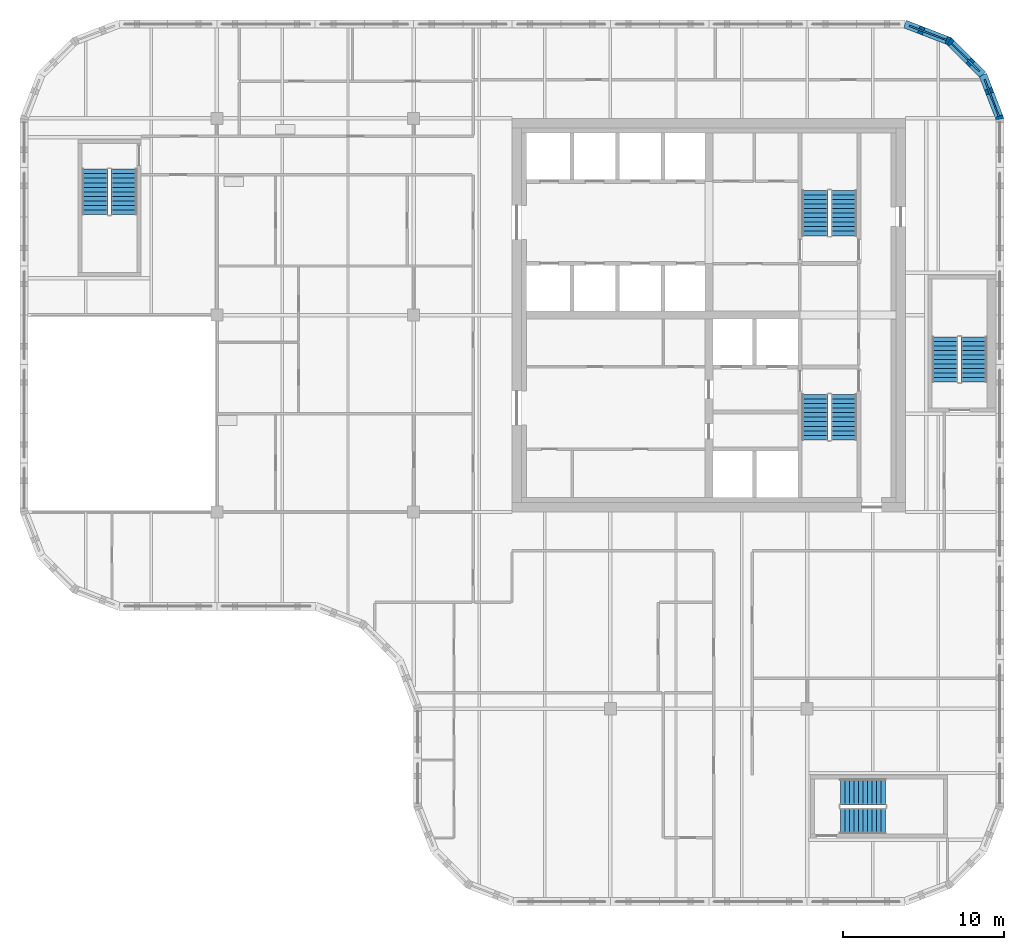
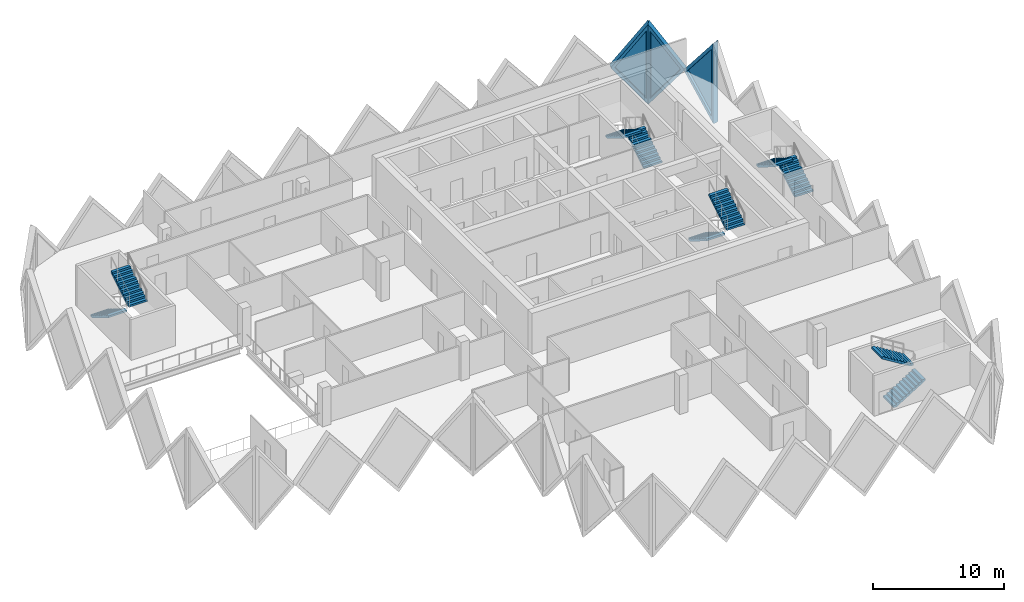
# One storey, part 10 of 12: 10 stair flights, 3 plates, 3 walls, 3 openings, 5 elements without a shape of their own.
"""IFC4 building model written with IfcOpenShell, lengths in metres."""

from ifc_helpers import new_model, si_unit, direction, frame, origin, place, context, subcontext, project, spatial, polyline, outline, extrude, faceted_brep, source, transform, mapped, material, layer, layer_set, type_object, element, fill, aggregate, save


model = new_model("IFC4")

# Units and contexts
model_context = context("Model", 3, precision=1e-05, world=origin(), true_north=direction((0.0, 1.0)))
body_context = subcontext(model_context, "Body", "Model", "MODEL_VIEW")
ifc_project = project(units=[si_unit("LENGTHUNIT", "METRE"), si_unit("AREAUNIT", "SQUARE_METRE"), si_unit("VOLUMEUNIT", "CUBIC_METRE"), si_unit("PLANEANGLEUNIT", "RADIAN"), si_unit("MASSUNIT", "GRAM", prefix="KILO")], contexts=[model_context])

# Site, building, storey
site_placement = place(None, origin())
site = spatial("IfcSite", under=ifc_project, at=site_placement, CompositionType="ELEMENT")
building_placement = place(site_placement, origin())
building = spatial("IfcBuilding", under=site, at=building_placement, Name="Tessera Gate Towers", CompositionType="ELEMENT")
storey_placement = place(building_placement, frame((0.0, 0.0, 159.199951171875)))
storey = spatial("IfcBuildingStorey", under=building, at=storey_placement, Name="L39", CompositionType="ELEMENT", Elevation=159.199951171875)

# Wall, opening, plate
ifc_material_1 = material(Name="Precast concrete C60/75 white", Category="concrete")
ifc_layer_1 = layer(ifc_material_1, 0.5)
ifc_layer_set_1 = layer_set([ifc_layer_1], Name="TS3 corner tessera")
wall_type = type_object("IfcWallType", Name="TS3 corner tessera", PredefinedType="SOLIDWALL", material=ifc_layer_set_1)
shared_shape_1 = source(origin(), body_context, "Body", "Brep", [
    faceted_brep([(0.046630859375, -0.25, 0.0), (2.9970703125, -0.25, 3.800048828125), (0.046630859375, -0.25, 7.60009765625), (0.0, -0.25, 7.541259765625), (0.0, -0.25, 0.058837890625), (0.09326171875, 0.25, 7.5400390625), (2.9443359375, 0.25, 3.8681640625), (2.9443359375, 0.25, 3.73193359375), (0.09326171875, 0.25, 0.06005859375), (2.9970703125, 0.00048828125, 3.800048828125), (0.046630859375, 0.0, 0.0), (0.046630859375, 0.0, 7.60009765625)], [[[0, 1, 2, 3, 4]], [[5, 6, 7, 8]], [[8, 7, 9, 1, 0, 10]], [[6, 5, 11, 2, 1, 9]], [[3, 2, 11]], [[10, 0, 4]], [[8, 10, 4, 3, 11, 5]], [[9, 7, 6]]]),
])
wall_1_placement = place(storey_placement, frame((60.766845703125, 48.7099609375, -3.800048828125), z_axis=(0.0, 0.0, 1.0), x_axis=(-0.359901446078, 0.932990326376, 0.0)))
wall_1 = element("IfcWall", 1, at=wall_1_placement, inside=storey, type_object=wall_type, Name="Precast corner tessera T1 TS3-0894", PredefinedType="SOLIDWALL", context=body_context, shape_type="MappedRepresentation", body=[
    mapped(shared_shape_1, transform((0.0, 0.0, 0.0), scale=1.0)),
])
shared_shape_2 = source(origin(), body_context, "Body", "SweptSolid", [
    extrude(outline(polyline([(0.24658203125, 0.665283203125), (2.6806640625, 3.800048828125), (0.24658203125, 6.934814453125), (0.24658203125, 0.665283203125)])), frame((0.0, 0.260009765625, 0.0), z_axis=(0.0, -1.0, 0.0), x_axis=(1.0, 0.0, 0.0)), (0.0, 0.0, 1.0), 0.52001953125),
])
opening_1_placement = place(wall_1_placement, origin())
opening_1 = element("IfcOpeningElement", 2, at=opening_1_placement, cuts=wall_1, Name="Opening T1-PL2-1331", PredefinedType="OPENING", context=body_context, shape_type="MappedRepresentation", body=[
    mapped(shared_shape_2, transform((0.0, 0.0, 0.0), scale=1.0)),
])
ifc_material_2 = material(Name="Low-e laminated glass", Category="glass")
ifc_layer_2 = layer(ifc_material_2, 0.06005859375)
ifc_layer_set_2 = layer_set([ifc_layer_2], Name="PL2 rhombic pane")
plate_type = type_object("IfcPlateType", Name="PL2 rhombic pane", PredefinedType="SHEET", material=ifc_layer_set_2)
shared_shape_3 = source(origin(), body_context, "Body", "SweptSolid", [
    extrude(outline(polyline([(0.24658203125, 0.665283203125), (2.6806640625, 3.800048828125), (0.24658203125, 6.934814453125), (0.24658203125, 0.665283203125)])), frame((0.0, 0.030029296875, 0.0), z_axis=(0.0, -1.0, 0.0), x_axis=(1.0, 0.0, 0.0)), (0.0, 0.0, 1.0), 0.06005859375),
])
plate_1_placement = place(opening_1_placement, origin())
plate_1 = element("IfcPlate", 3, at=plate_1_placement, inside=storey, type_object=plate_type, Name="Glass pane T1 PL2-1331", PredefinedType="SHEET", context=body_context, shape_type="MappedRepresentation", body=[
    mapped(shared_shape_3, transform((0.0, 0.0, 0.0), scale=1.0)),
])
fill(opening_1, plate_1)

shared_shape_4 = source(origin(), body_context, "Body", "Brep", [
    faceted_brep([(2.944091796875, -0.25, 0.0), (2.9970703125, -0.25, 0.068115234375), (2.9970703125, -0.25, 7.531982421875), (2.944091796875, -0.25, 7.60009765625), (0.0, -0.25, 3.800048828125), (0.052978515625, 0.25, 3.868408203125), (2.89111328125, 0.25, 7.531982421875), (2.89111328125, 0.25, 0.068115234375), (0.052978515625, 0.25, 3.731689453125), (2.944091796875, 0.000244140625, 0.0), (2.944091796875, 0.000244140625, 7.60009765625), (0.0, 0.0, 3.800048828125)], [[[0, 1, 2, 3, 4]], [[5, 6, 7, 8]], [[1, 0, 9]], [[10, 3, 2]], [[6, 5, 11, 4, 3, 10]], [[8, 7, 9, 0, 4, 11]], [[8, 11, 5]], [[1, 9, 7, 6, 10, 2]]]),
])
wall_2_placement = place(storey_placement, frame((59.68798828125, 51.50634765625, -3.800048828125), z_axis=(0.0, 0.0, 1.0), x_axis=(-0.707106781187, 0.707106781187, 0.0)))
wall_2 = element("IfcWall", 4, at=wall_2_placement, inside=storey, type_object=wall_type, Name="Precast corner tessera T1 TS3-0895", PredefinedType="SOLIDWALL", context=body_context, shape_type="MappedRepresentation", body=[
    mapped(shared_shape_4, transform((0.0, 0.0, 0.0), scale=1.0)),
])
shared_shape_5 = source(origin(), body_context, "Body", "SweptSolid", [
    extrude(outline(polyline([(2.744140625, 6.933837890625), (0.316162109375, 3.800048828125), (2.744140625, 0.66650390625), (2.744140625, 6.933837890625)])), frame((0.0, 0.260009765625, 0.0), z_axis=(0.0, -1.0, 0.0), x_axis=(1.0, 0.0, 0.0)), (0.0, 0.0, 1.0), 0.52001953125),
])
opening_2_placement = place(wall_2_placement, origin())
opening_2 = element("IfcOpeningElement", 5, at=opening_2_placement, cuts=wall_2, Name="Opening T1-PL2-1332", PredefinedType="OPENING", context=body_context, shape_type="MappedRepresentation", body=[
    mapped(shared_shape_5, transform((0.0, 0.0, 0.0), scale=1.0)),
])
shared_shape_6 = source(origin(), body_context, "Body", "SweptSolid", [
    extrude(outline(polyline([(2.744140625, 6.933837890625), (0.316162109375, 3.800048828125), (2.744140625, 0.66650390625), (2.744140625, 6.933837890625)])), frame((0.0, 0.030029296875, 0.0), z_axis=(0.0, -1.0, 0.0), x_axis=(1.0, 0.0, 0.0)), (0.0, 0.0, 1.0), 0.06005859375),
])
plate_2_placement = place(opening_2_placement, origin())
plate_2 = element("IfcPlate", 6, at=plate_2_placement, inside=storey, type_object=plate_type, Name="Glass pane T1 PL2-1332", PredefinedType="SHEET", context=body_context, shape_type="MappedRepresentation", body=[
    mapped(shared_shape_6, transform((0.0, 0.0, 0.0), scale=1.0)),
])
fill(opening_2, plate_2)

shared_shape_7 = source(origin(), body_context, "Body", "Brep", [
    faceted_brep([(0.052978515625, -0.25, 0.0), (3.00341796875, -0.25, 3.800048828125), (0.052978515625, -0.25, 7.60009765625), (0.0, -0.25, 7.53173828125), (0.0, -0.25, 0.068359375), (0.10595703125, 0.25, 7.531982421875), (2.95703125, 0.25, 3.85986328125), (2.95703125, 0.25, 3.740234375), (0.10595703125, 0.25, 0.068115234375), (3.00341796875, 0.00048828125, 3.800048828125), (0.052978515625, 0.0, 0.0), (0.052978515625, 0.0, 7.60009765625)], [[[0, 1, 2, 3, 4]], [[5, 6, 7, 8]], [[8, 7, 9, 1, 0, 10]], [[6, 5, 11, 2, 1, 9]], [[3, 2, 11]], [[10, 0, 4]], [[8, 10, 4, 3, 11, 5]], [[9, 7, 6]]]),
])
wall_3_placement = place(storey_placement, frame((57.65576171875, 53.569091796875, -3.800048828125), z_axis=(0.0, 0.0, 1.0), x_axis=(-0.933007896601, 0.359855894603, 0.0)))
wall_3 = element("IfcWall", 7, at=wall_3_placement, inside=storey, type_object=wall_type, Name="Precast corner tessera T1 TS3-0896", PredefinedType="SOLIDWALL", context=body_context, shape_type="MappedRepresentation", body=[
    mapped(shared_shape_7, transform((0.0, 0.0, 0.0), scale=1.0)),
])
shared_shape_8 = source(origin(), body_context, "Body", "SweptSolid", [
    extrude(outline(polyline([(0.2529296875, 0.665283203125), (2.68701171875, 3.800048828125), (0.2529296875, 6.934814453125), (0.2529296875, 0.665283203125)])), frame((0.0, 0.260009765625, 0.0), z_axis=(0.0, -1.0, 0.0), x_axis=(1.0, 0.0, 0.0)), (0.0, 0.0, 1.0), 0.52001953125),
])
opening_3_placement = place(wall_3_placement, origin())
opening_3 = element("IfcOpeningElement", 8, at=opening_3_placement, cuts=wall_3, Name="Opening T1-PL2-1333", PredefinedType="OPENING", context=body_context, shape_type="MappedRepresentation", body=[
    mapped(shared_shape_8, transform((0.0, 0.0, 0.0), scale=1.0)),
])
shared_shape_9 = source(origin(), body_context, "Body", "SweptSolid", [
    extrude(outline(polyline([(0.2529296875, 0.665283203125), (2.68701171875, 3.800048828125), (0.2529296875, 6.934814453125), (0.2529296875, 0.665283203125)])), frame((0.0, 0.030029296875, 0.0), z_axis=(0.0, -1.0, 0.0), x_axis=(1.0, 0.0, 0.0)), (0.0, 0.0, 1.0), 0.06005859375),
])
plate_3_placement = place(opening_3_placement, origin())
plate_3 = element("IfcPlate", 9, at=plate_3_placement, inside=storey, type_object=plate_type, Name="Glass pane T1 PL2-1333", PredefinedType="SHEET", context=body_context, shape_type="MappedRepresentation", body=[
    mapped(shared_shape_9, transform((0.0, 0.0, 0.0), scale=1.0)),
])
fill(opening_3, plate_3)

# Stair, stair flights
ifc_material_3 = material(Name="Concrete C40/50", Category="concrete")
stair_type_1 = type_object("IfcStairType", Name="EXIT STAIR ST1 1600", PredefinedType="HALF_TURN_STAIR", material=ifc_material_3)
stair_1_placement = place(storey_placement, origin())
stair_1 = element("IfcStair", 10, at=stair_1_placement, inside=storey, type_object=stair_type_1, Name="L39 Protected Exit Stair ST1", PredefinedType="HALF_TURN_STAIR")
ifc_material_4 = material(Name="Concrete C40/50", Category="concrete")
stair_flight_type_1 = type_object("IfcStairFlightType", Name="EXIT STAIR FLIGHT ST1 1600", PredefinedType="STRAIGHT", material=ifc_material_4)
stair_flight_1_placement = place(storey_placement, frame((49.27490234375, 31.675048828125, 0.0), z_axis=(0.0, 0.0, 1.0), x_axis=(0.0, -1.0, 0.0)))
stair_flight_1 = element("IfcStairFlight", 11, at=stair_flight_1_placement, type_object=stair_flight_type_1, Name="ST1 flight 1", NumberOfRisers=11, NumberOfTreads=10, PredefinedType="STRAIGHT", RiserHeight=0.172727273, TreadLength=0.28, context=body_context, shape_type="SweptSolid", body=[
    extrude(outline(polyline([(0.0, 0.0), (0.0, 0.172607421875), (0.280029296875, 0.172607421875), (0.280029296875, 0.345458984375), (0.56005859375, 0.345458984375), (0.56005859375, 0.51806640625), (0.840087890625, 0.51806640625), (0.840087890625, 0.69091796875), (1.1201171875, 0.69091796875), (1.1201171875, 0.863525390625), (1.39990234375, 0.863525390625), (1.39990234375, 1.036376953125), (1.679931640625, 1.036376953125), (1.679931640625, 1.208984375), (1.9599609375, 1.208984375), (1.9599609375, 1.3818359375), (2.239990234375, 1.3818359375), (2.239990234375, 1.554443359375), (2.52001953125, 1.554443359375), (2.52001953125, 1.727294921875), (2.800048828125, 1.727294921875), (2.800048828125, 1.89990234375), (2.800048828125, 1.551025390625), (0.285400390625, 0.0), (0.0, 0.0)])), frame((0.0, 0.800048828125, 0.0), z_axis=(0.0, -1.0, 0.0), x_axis=(1.0, 0.0, 0.0)), (0.0, 0.0, 1.0), 1.60009765625),
])
stair_flight_2_placement = place(storey_placement, frame((51.074951171875, 28.875, 1.900146484375), z_axis=(0.0, 0.0, 1.0), x_axis=(0.0, 1.0, 0.0)))
stair_flight_2 = element("IfcStairFlight", 12, at=stair_flight_2_placement, type_object=stair_flight_type_1, Name="ST1 flight 2", NumberOfRisers=11, NumberOfTreads=10, PredefinedType="STRAIGHT", RiserHeight=0.172727273, TreadLength=0.28, context=body_context, shape_type="SweptSolid", body=[
    extrude(outline(polyline([(0.0, 0.0), (0.0, 0.172607421875), (0.280029296875, 0.172607421875), (0.280029296875, 0.345458984375), (0.56005859375, 0.345458984375), (0.56005859375, 0.51806640625), (0.840087890625, 0.51806640625), (0.840087890625, 0.69091796875), (1.1201171875, 0.69091796875), (1.1201171875, 0.863525390625), (1.39990234375, 0.863525390625), (1.39990234375, 1.036376953125), (1.679931640625, 1.036376953125), (1.679931640625, 1.208984375), (1.9599609375, 1.208984375), (1.9599609375, 1.3818359375), (2.239990234375, 1.3818359375), (2.239990234375, 1.554443359375), (2.52001953125, 1.554443359375), (2.52001953125, 1.727294921875), (2.800048828125, 1.727294921875), (2.800048828125, 1.89990234375), (2.800048828125, 1.551025390625), (0.285400390625, 0.0), (0.0, 0.0)])), frame((0.0, 0.800048828125, 0.0), z_axis=(0.0, -1.0, 0.0), x_axis=(1.0, 0.0, 0.0)), (0.0, 0.0, 1.0), 1.60009765625),
])
aggregate(stair_1, [stair_flight_1, stair_flight_2])

ifc_material_5 = material(Name="Concrete C40/50", Category="concrete")
stair_type_2 = type_object("IfcStairType", Name="EXIT STAIR ST2 1600", PredefinedType="HALF_TURN_STAIR", material=ifc_material_5)
stair_2_placement = place(storey_placement, origin())
stair_2 = element("IfcStair", 13, at=stair_2_placement, inside=storey, type_object=stair_type_2, Name="L39 Protected Exit Stair ST2", PredefinedType="HALF_TURN_STAIR")
ifc_material_6 = material(Name="Concrete C40/50", Category="concrete")
stair_flight_type_2 = type_object("IfcStairFlightType", Name="EXIT STAIR FLIGHT ST2 1600", PredefinedType="STRAIGHT", material=ifc_material_6)
stair_flight_3_placement = place(storey_placement, frame((51.074951171875, 41.52490234375, 0.0), z_axis=(0.0, 0.0, 1.0), x_axis=(0.0, 1.0, 0.0)))
stair_flight_3 = element("IfcStairFlight", 14, at=stair_flight_3_placement, type_object=stair_flight_type_2, Name="ST2 flight 1", NumberOfRisers=11, NumberOfTreads=10, PredefinedType="STRAIGHT", RiserHeight=0.172727273, TreadLength=0.28, context=body_context, shape_type="SweptSolid", body=[
    extrude(outline(polyline([(0.0, 0.0), (0.0, 0.172607421875), (0.280029296875, 0.172607421875), (0.280029296875, 0.345458984375), (0.56005859375, 0.345458984375), (0.56005859375, 0.51806640625), (0.840087890625, 0.51806640625), (0.840087890625, 0.69091796875), (1.1201171875, 0.69091796875), (1.1201171875, 0.863525390625), (1.39990234375, 0.863525390625), (1.39990234375, 1.036376953125), (1.679931640625, 1.036376953125), (1.679931640625, 1.208984375), (1.9599609375, 1.208984375), (1.9599609375, 1.3818359375), (2.239990234375, 1.3818359375), (2.239990234375, 1.554443359375), (2.52001953125, 1.554443359375), (2.52001953125, 1.727294921875), (2.800048828125, 1.727294921875), (2.800048828125, 1.89990234375), (2.800048828125, 1.551025390625), (0.285400390625, 0.0), (0.0, 0.0)])), frame((0.0, 0.800048828125, 0.0), z_axis=(0.0, -1.0, 0.0), x_axis=(1.0, 0.0, 0.0)), (0.0, 0.0, 1.0), 1.60009765625),
])
stair_flight_4_placement = place(storey_placement, frame((49.27490234375, 44.324951171875, 1.900146484375), z_axis=(0.0, 0.0, 1.0), x_axis=(0.0, -1.0, 0.0)))
stair_flight_4 = element("IfcStairFlight", 15, at=stair_flight_4_placement, type_object=stair_flight_type_2, Name="ST2 flight 2", NumberOfRisers=11, NumberOfTreads=10, PredefinedType="STRAIGHT", RiserHeight=0.172727273, TreadLength=0.28, context=body_context, shape_type="SweptSolid", body=[
    extrude(outline(polyline([(0.0, 0.0), (0.0, 0.172607421875), (0.280029296875, 0.172607421875), (0.280029296875, 0.345458984375), (0.56005859375, 0.345458984375), (0.56005859375, 0.51806640625), (0.840087890625, 0.51806640625), (0.840087890625, 0.69091796875), (1.1201171875, 0.69091796875), (1.1201171875, 0.863525390625), (1.39990234375, 0.863525390625), (1.39990234375, 1.036376953125), (1.679931640625, 1.036376953125), (1.679931640625, 1.208984375), (1.9599609375, 1.208984375), (1.9599609375, 1.3818359375), (2.239990234375, 1.3818359375), (2.239990234375, 1.554443359375), (2.52001953125, 1.554443359375), (2.52001953125, 1.727294921875), (2.800048828125, 1.727294921875), (2.800048828125, 1.89990234375), (2.800048828125, 1.551025390625), (0.285400390625, 0.0), (0.0, 0.0)])), frame((0.0, 0.800048828125, 0.0), z_axis=(0.0, -1.0, 0.0), x_axis=(1.0, 0.0, 0.0)), (0.0, 0.0, 1.0), 1.60009765625),
])
aggregate(stair_2, [stair_flight_3, stair_flight_4])

ifc_material_7 = material(Name="Concrete C40/50", Category="concrete")
stair_type_3 = type_object("IfcStairType", Name="EXIT STAIR ST3 1600", PredefinedType="HALF_TURN_STAIR", material=ifc_material_7)
stair_3_placement = place(storey_placement, origin())
stair_3 = element("IfcStair", 16, at=stair_3_placement, inside=storey, type_object=stair_type_3, Name="L39 West Exit Stair ST3", PredefinedType="HALF_TURN_STAIR")
ifc_material_8 = material(Name="Concrete C40/50", Category="concrete")
stair_flight_type_3 = type_object("IfcStairFlightType", Name="EXIT STAIR FLIGHT ST3 1600", PredefinedType="STRAIGHT", material=ifc_material_8)
stair_flight_5_placement = place(storey_placement, frame((4.64990234375, 45.64990234375, 0.0), z_axis=(0.0, 0.0, 1.0), x_axis=(0.0, -1.0, 0.0)))
stair_flight_5 = element("IfcStairFlight", 17, at=stair_flight_5_placement, type_object=stair_flight_type_3, Name="ST3 flight 1", NumberOfRisers=11, NumberOfTreads=10, PredefinedType="STRAIGHT", RiserHeight=0.172727273, TreadLength=0.28, context=body_context, shape_type="SweptSolid", body=[
    extrude(outline(polyline([(0.0, 0.0), (0.0, 0.172607421875), (0.280029296875, 0.172607421875), (0.280029296875, 0.345458984375), (0.56005859375, 0.345458984375), (0.56005859375, 0.51806640625), (0.840087890625, 0.51806640625), (0.840087890625, 0.69091796875), (1.1201171875, 0.69091796875), (1.1201171875, 0.863525390625), (1.39990234375, 0.863525390625), (1.39990234375, 1.036376953125), (1.679931640625, 1.036376953125), (1.679931640625, 1.208984375), (1.9599609375, 1.208984375), (1.9599609375, 1.3818359375), (2.239990234375, 1.3818359375), (2.239990234375, 1.554443359375), (2.52001953125, 1.554443359375), (2.52001953125, 1.727294921875), (2.800048828125, 1.727294921875), (2.800048828125, 1.89990234375), (2.800048828125, 1.551025390625), (0.285400390625, 0.0), (0.0, 0.0)])), frame((0.0, 0.800048828125, 0.0), z_axis=(0.0, -1.0, 0.0), x_axis=(1.0, 0.0, 0.0)), (0.0, 0.0, 1.0), 1.60009765625),
])
stair_flight_6_placement = place(storey_placement, frame((6.449951171875, 42.85009765625, 1.900146484375), z_axis=(0.0, 0.0, 1.0), x_axis=(0.0, 1.0, 0.0)))
stair_flight_6 = element("IfcStairFlight", 18, at=stair_flight_6_placement, type_object=stair_flight_type_3, Name="ST3 flight 2", NumberOfRisers=11, NumberOfTreads=10, PredefinedType="STRAIGHT", RiserHeight=0.172727273, TreadLength=0.28, context=body_context, shape_type="SweptSolid", body=[
    extrude(outline(polyline([(0.0, 0.0), (0.0, 0.172607421875), (0.280029296875, 0.172607421875), (0.280029296875, 0.345458984375), (0.56005859375, 0.345458984375), (0.56005859375, 0.51806640625), (0.840087890625, 0.51806640625), (0.840087890625, 0.69091796875), (1.1201171875, 0.69091796875), (1.1201171875, 0.863525390625), (1.39990234375, 0.863525390625), (1.39990234375, 1.036376953125), (1.679931640625, 1.036376953125), (1.679931640625, 1.208984375), (1.9599609375, 1.208984375), (1.9599609375, 1.3818359375), (2.239990234375, 1.3818359375), (2.239990234375, 1.554443359375), (2.52001953125, 1.554443359375), (2.52001953125, 1.727294921875), (2.800048828125, 1.727294921875), (2.800048828125, 1.89990234375), (2.800048828125, 1.551025390625), (0.285400390625, 0.0), (0.0, 0.0)])), frame((0.0, 0.800048828125, 0.0), z_axis=(0.0, -1.0, 0.0), x_axis=(1.0, 0.0, 0.0)), (0.0, 0.0, 1.0), 1.60009765625),
])
aggregate(stair_3, [stair_flight_5, stair_flight_6])

ifc_material_9 = material(Name="Concrete C40/50", Category="concrete")
stair_type_4 = type_object("IfcStairType", Name="EXIT STAIR ST4 1600", PredefinedType="HALF_TURN_STAIR", material=ifc_material_9)
stair_4_placement = place(storey_placement, origin())
stair_4 = element("IfcStair", 19, at=stair_4_placement, inside=storey, type_object=stair_type_4, Name="L39 South Exit Stair ST4", PredefinedType="HALF_TURN_STAIR")
ifc_material_10 = material(Name="Concrete C40/50", Category="concrete")
stair_flight_type_4 = type_object("IfcStairFlightType", Name="EXIT STAIR FLIGHT ST4 1600", PredefinedType="STRAIGHT", material=ifc_material_10)
stair_flight_7_placement = place(storey_placement, frame((50.85009765625, 5.25, 0.0), z_axis=(0.0, 0.0, 1.0), x_axis=(1.0, 0.0, 0.0)))
stair_flight_7 = element("IfcStairFlight", 20, at=stair_flight_7_placement, type_object=stair_flight_type_4, Name="ST4 flight 1", NumberOfRisers=11, NumberOfTreads=10, PredefinedType="STRAIGHT", RiserHeight=0.172727273, TreadLength=0.28, context=body_context, shape_type="SweptSolid", body=[
    extrude(outline(polyline([(0.0, 0.0), (0.0, 0.172607421875), (0.280029296875, 0.172607421875), (0.280029296875, 0.345458984375), (0.56005859375, 0.345458984375), (0.56005859375, 0.51806640625), (0.840087890625, 0.51806640625), (0.840087890625, 0.69091796875), (1.1201171875, 0.69091796875), (1.1201171875, 0.863525390625), (1.39990234375, 0.863525390625), (1.39990234375, 1.036376953125), (1.679931640625, 1.036376953125), (1.679931640625, 1.208984375), (1.9599609375, 1.208984375), (1.9599609375, 1.3818359375), (2.239990234375, 1.3818359375), (2.239990234375, 1.554443359375), (2.52001953125, 1.554443359375), (2.52001953125, 1.727294921875), (2.800048828125, 1.727294921875), (2.800048828125, 1.89990234375), (2.800048828125, 1.551025390625), (0.285400390625, 0.0), (0.0, 0.0)])), frame((0.0, 0.800048828125, 0.0), z_axis=(0.0, -1.0, 0.0), x_axis=(1.0, 0.0, 0.0)), (0.0, 0.0, 1.0), 1.60009765625),
])
stair_flight_8_placement = place(storey_placement, frame((53.64990234375, 7.050048828125, 1.900146484375), z_axis=(0.0, 0.0, 1.0), x_axis=(-1.0, 0.0, 0.0)))
stair_flight_8 = element("IfcStairFlight", 21, at=stair_flight_8_placement, type_object=stair_flight_type_4, Name="ST4 flight 2", NumberOfRisers=11, NumberOfTreads=10, PredefinedType="STRAIGHT", RiserHeight=0.172727273, TreadLength=0.28, context=body_context, shape_type="SweptSolid", body=[
    extrude(outline(polyline([(0.0, 0.0), (0.0, 0.172607421875), (0.280029296875, 0.172607421875), (0.280029296875, 0.345458984375), (0.56005859375, 0.345458984375), (0.56005859375, 0.51806640625), (0.840087890625, 0.51806640625), (0.840087890625, 0.69091796875), (1.1201171875, 0.69091796875), (1.1201171875, 0.863525390625), (1.39990234375, 0.863525390625), (1.39990234375, 1.036376953125), (1.679931640625, 1.036376953125), (1.679931640625, 1.208984375), (1.9599609375, 1.208984375), (1.9599609375, 1.3818359375), (2.239990234375, 1.3818359375), (2.239990234375, 1.554443359375), (2.52001953125, 1.554443359375), (2.52001953125, 1.727294921875), (2.800048828125, 1.727294921875), (2.800048828125, 1.89990234375), (2.800048828125, 1.551025390625), (0.285400390625, 0.0), (0.0, 0.0)])), frame((0.0, 0.800048828125, 0.0), z_axis=(0.0, -1.0, 0.0), x_axis=(1.0, 0.0, 0.0)), (0.0, 0.0, 1.0), 1.60009765625),
])
aggregate(stair_4, [stair_flight_7, stair_flight_8])

ifc_material_11 = material(Name="Concrete C40/50", Category="concrete")
stair_type_5 = type_object("IfcStairType", Name="EXIT STAIR ST5 1600", PredefinedType="HALF_TURN_STAIR", material=ifc_material_11)
stair_5_placement = place(storey_placement, origin())
stair_5 = element("IfcStair", 22, at=stair_5_placement, inside=storey, type_object=stair_type_5, Name="L39 East Exit Stair ST5", PredefinedType="HALF_TURN_STAIR")
ifc_material_12 = material(Name="Concrete C40/50", Category="concrete")
stair_flight_type_5 = type_object("IfcStairFlightType", Name="EXIT STAIR FLIGHT ST5 1600", PredefinedType="STRAIGHT", material=ifc_material_12)
stair_flight_9_placement = place(storey_placement, frame((59.14990234375, 32.449951171875, 0.0), z_axis=(0.0, 0.0, 1.0), x_axis=(0.0, 1.0, 0.0)))
stair_flight_9 = element("IfcStairFlight", 23, at=stair_flight_9_placement, type_object=stair_flight_type_5, Name="ST5 flight 1", NumberOfRisers=11, NumberOfTreads=10, PredefinedType="STRAIGHT", RiserHeight=0.172727273, TreadLength=0.28, context=body_context, shape_type="SweptSolid", body=[
    extrude(outline(polyline([(0.0, 0.0), (0.0, 0.172607421875), (0.280029296875, 0.172607421875), (0.280029296875, 0.345458984375), (0.56005859375, 0.345458984375), (0.56005859375, 0.51806640625), (0.840087890625, 0.51806640625), (0.840087890625, 0.69091796875), (1.1201171875, 0.69091796875), (1.1201171875, 0.863525390625), (1.39990234375, 0.863525390625), (1.39990234375, 1.036376953125), (1.679931640625, 1.036376953125), (1.679931640625, 1.208984375), (1.9599609375, 1.208984375), (1.9599609375, 1.3818359375), (2.239990234375, 1.3818359375), (2.239990234375, 1.554443359375), (2.52001953125, 1.554443359375), (2.52001953125, 1.727294921875), (2.800048828125, 1.727294921875), (2.800048828125, 1.89990234375), (2.800048828125, 1.551025390625), (0.285400390625, 0.0), (0.0, 0.0)])), frame((0.0, 0.800048828125, 0.0), z_axis=(0.0, -1.0, 0.0), x_axis=(1.0, 0.0, 0.0)), (0.0, 0.0, 1.0), 1.60009765625),
])
stair_flight_10_placement = place(storey_placement, frame((57.35009765625, 35.25, 1.900146484375), z_axis=(0.0, 0.0, 1.0), x_axis=(0.0, -1.0, 0.0)))
stair_flight_10 = element("IfcStairFlight", 24, at=stair_flight_10_placement, type_object=stair_flight_type_5, Name="ST5 flight 2", NumberOfRisers=11, NumberOfTreads=10, PredefinedType="STRAIGHT", RiserHeight=0.172727273, TreadLength=0.28, context=body_context, shape_type="SweptSolid", body=[
    extrude(outline(polyline([(0.0, 0.0), (0.0, 0.172607421875), (0.280029296875, 0.172607421875), (0.280029296875, 0.345458984375), (0.56005859375, 0.345458984375), (0.56005859375, 0.51806640625), (0.840087890625, 0.51806640625), (0.840087890625, 0.69091796875), (1.1201171875, 0.69091796875), (1.1201171875, 0.863525390625), (1.39990234375, 0.863525390625), (1.39990234375, 1.036376953125), (1.679931640625, 1.036376953125), (1.679931640625, 1.208984375), (1.9599609375, 1.208984375), (1.9599609375, 1.3818359375), (2.239990234375, 1.3818359375), (2.239990234375, 1.554443359375), (2.52001953125, 1.554443359375), (2.52001953125, 1.727294921875), (2.800048828125, 1.727294921875), (2.800048828125, 1.89990234375), (2.800048828125, 1.551025390625), (0.285400390625, 0.0), (0.0, 0.0)])), frame((0.0, 0.800048828125, 0.0), z_axis=(0.0, -1.0, 0.0), x_axis=(1.0, 0.0, 0.0)), (0.0, 0.0, 1.0), 1.60009765625),
])
aggregate(stair_5, [stair_flight_9, stair_flight_10])

save(model, "model.ifc")
